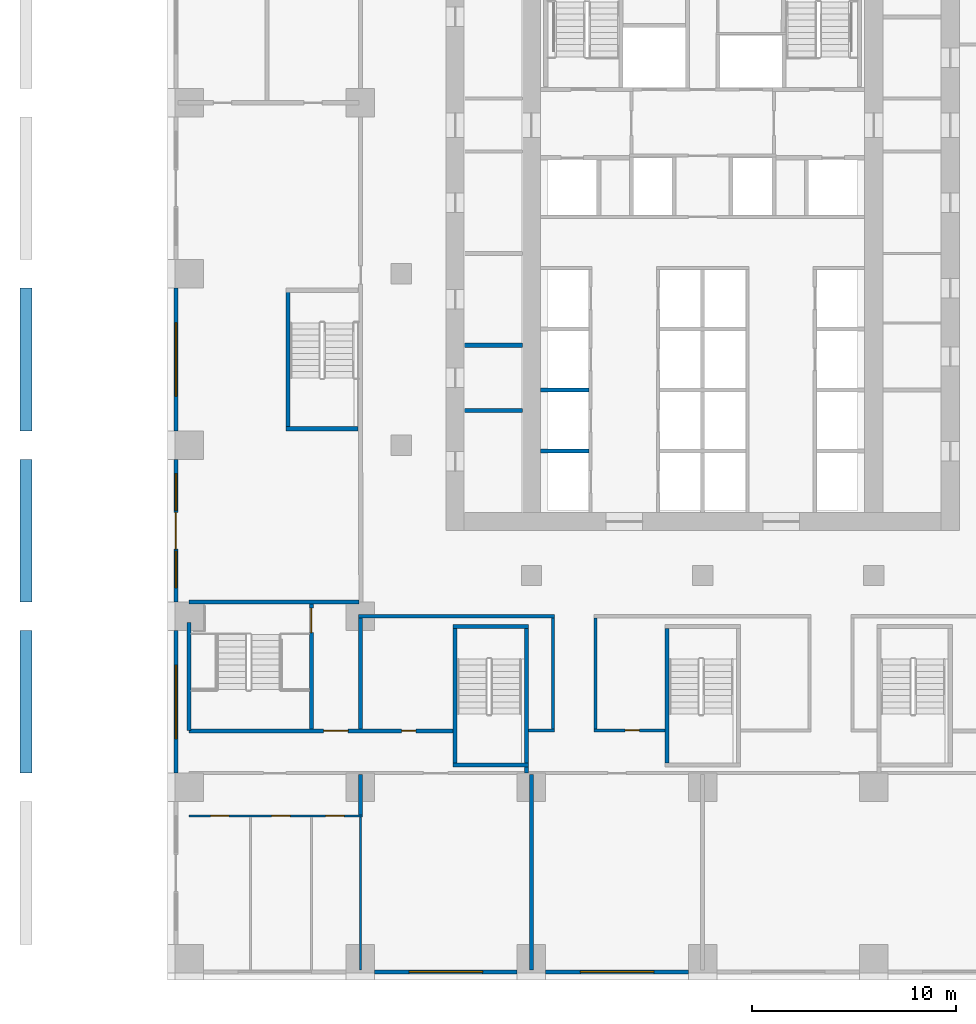
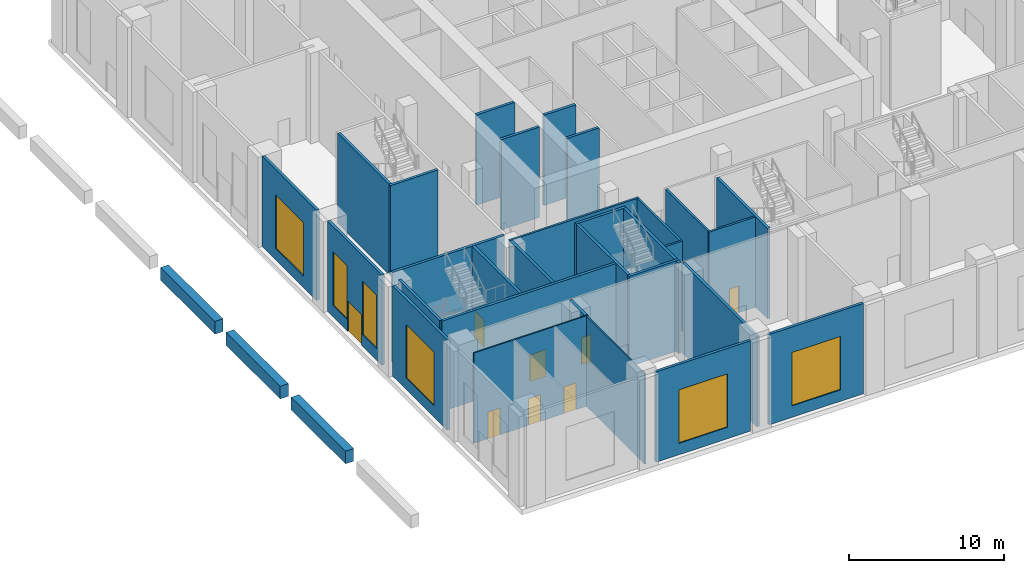
# One storey, part 7 of 29: 33 walls, 8 doors, 6 windows, 14 openings.
"""IFC4 building model written with IfcOpenShell, lengths in metres."""

from ifc_helpers import new_model, si_unit, direction, frame, frame_2d, origin, place, context, subcontext, project, spatial, rectangle, extrude, material, layer, layer_set, type_object, element, fill, save


model = new_model("IFC4")

# Units and contexts
model_context = context("Model", 3, precision=1e-05, world=origin(), true_north=direction((0.0, 1.0)))
body_context = subcontext(model_context, "Body", "Model", "MODEL_VIEW")
ifc_project = project(units=[si_unit("LENGTHUNIT", "METRE"), si_unit("AREAUNIT", "SQUARE_METRE"), si_unit("VOLUMEUNIT", "CUBIC_METRE"), si_unit("PLANEANGLEUNIT", "RADIAN"), si_unit("MASSUNIT", "GRAM", prefix="KILO")], contexts=[model_context])

# Site, building, storey
site_placement = place(None, origin())
site = spatial("IfcSite", under=ifc_project, at=site_placement, CompositionType="ELEMENT")
building_placement = place(site_placement, origin())
building = spatial("IfcBuilding", under=site, at=building_placement, Name="Vermilion Ogive Tower", CompositionType="ELEMENT")
storey_placement = place(building_placement, frame((0.0, 0.0, 12.5)))
storey = spatial("IfcBuildingStorey", under=building, at=storey_placement, Name="L02", CompositionType="ELEMENT", Elevation=12.5)

# Wall, openings, doors
ifc_material_1 = material(Name="Gypsum board partition on steel studs", Category="steel")
ifc_layer_1 = layer(ifc_material_1, 0.10009765625)
ifc_layer_set_1 = layer_set([ifc_layer_1], Name="Partition 100 bath")
wall_type_1 = type_object("IfcWallType", Name="Partition 100 bath", PredefinedType="PARTITIONING", material=ifc_layer_set_1)
wall_1_placement = place(storey_placement, frame((-25.199951171875, -22.39990234375, 0.0), z_axis=(0.0, 0.0, 1.0), x_axis=(1.0, 0.0, 0.0)))
wall_1 = element("IfcWall", 1, at=wall_1_placement, inside=storey, type_object=wall_type_1, Name="L02-FS-W-W002", PredefinedType="PARTITIONING", context=body_context, shape_type="SweptSolid", body=[
    extrude(rectangle(XDim=8.5, YDim=0.10009765625, at=frame_2d((4.25, 0.0))), origin(), (0.0, 0.0, 1.0), 7.10009765625),
])
opening_1_placement = place(wall_1_placement, frame((1.050048828125, 0.0, 0.0)))
opening_1 = element("IfcOpeningElement", 2, at=opening_1_placement, cuts=wall_1, Name="Opening L02S023", PredefinedType="OPENING", context=body_context, shape_type="SweptSolid", body=[
    extrude(rectangle(XDim=0.89990234375, YDim=2.10009765625, at=frame_2d((0.449951171875, 1.050048828125))), frame((0.0, 0.06005859375, 0.0), z_axis=(0.0, -1.0, 0.0), x_axis=(1.0, 0.0, 0.0)), (0.0, 0.0, 1.0), 0.1201171875),
])
opening_2_placement = place(wall_1_placement, frame((4.050048828125, 0.0, 0.0)))
opening_2 = element("IfcOpeningElement", 3, at=opening_2_placement, cuts=wall_1, Name="Opening L02S024", PredefinedType="OPENING", context=body_context, shape_type="SweptSolid", body=[
    extrude(rectangle(XDim=0.89990234375, YDim=2.10009765625, at=frame_2d((0.449951171875, 1.050048828125))), frame((0.0, 0.06005859375, 0.0), z_axis=(0.0, -1.0, 0.0), x_axis=(1.0, 0.0, 0.0)), (0.0, 0.0, 1.0), 0.1201171875),
])
opening_3_placement = place(wall_1_placement, frame((6.699951171875, 0.0, 0.0)))
opening_3 = element("IfcOpeningElement", 4, at=opening_3_placement, cuts=wall_1, Name="Opening L02S025", PredefinedType="OPENING", context=body_context, shape_type="SweptSolid", body=[
    extrude(rectangle(XDim=0.89990234375, YDim=2.10009765625, at=frame_2d((0.449951171875, 1.050048828125))), frame((0.0, 0.06005859375, 0.0), z_axis=(0.0, -1.0, 0.0), x_axis=(1.0, 0.0, 0.0)), (0.0, 0.0, 1.0), 0.1201171875),
])
ifc_material_2 = material(Name="Timber door leaf", Category="wood")
door_type_1 = type_object("IfcDoorType", Name="Room door 900 x 2100 FD30", OperationType="SINGLE_SWING_LEFT", PredefinedType="DOOR", material=ifc_material_2)
door_1_placement = place(opening_1_placement, origin())
door_1 = element("IfcDoor", 5, at=door_1_placement, inside=storey, type_object=door_type_1, Name="L02-FS-D-D023", OperationType="SINGLE_SWING_RIGHT", OverallHeight=2.10009765625, OverallWidth=0.89990234375, PredefinedType="DOOR", context=body_context, shape_type="SweptSolid", body=[
    extrude(rectangle(XDim=0.89990234375, YDim=2.10009765625, at=frame_2d((0.449951171875, 1.050048828125))), frame((0.0, 0.02490234375, 0.0), z_axis=(0.0, -1.0, 0.0), x_axis=(1.0, 0.0, 0.0)), (0.0, 0.0, 1.0), 0.050048828125),
])
fill(opening_1, door_1)
door_2_placement = place(opening_2_placement, origin())
door_2 = element("IfcDoor", 6, at=door_2_placement, inside=storey, type_object=door_type_1, Name="L02-FS-D-D024", OperationType="SINGLE_SWING_RIGHT", OverallHeight=2.10009765625, OverallWidth=0.89990234375, PredefinedType="DOOR", context=body_context, shape_type="SweptSolid", body=[
    extrude(rectangle(XDim=0.89990234375, YDim=2.10009765625, at=frame_2d((0.449951171875, 1.050048828125))), frame((0.0, 0.02490234375, 0.0), z_axis=(0.0, -1.0, 0.0), x_axis=(1.0, 0.0, 0.0)), (0.0, 0.0, 1.0), 0.050048828125),
])
fill(opening_2, door_2)
door_3_placement = place(opening_3_placement, origin())
door_3 = element("IfcDoor", 7, at=door_3_placement, inside=storey, type_object=door_type_1, Name="L02-FS-D-D025", OperationType="SINGLE_SWING_RIGHT", OverallHeight=2.10009765625, OverallWidth=0.89990234375, PredefinedType="DOOR", context=body_context, shape_type="SweptSolid", body=[
    extrude(rectangle(XDim=0.89990234375, YDim=2.10009765625, at=frame_2d((0.449951171875, 1.050048828125))), frame((0.0, 0.02490234375, 0.0), z_axis=(0.0, -1.0, 0.0), x_axis=(1.0, 0.0, 0.0)), (0.0, 0.0, 1.0), 0.050048828125),
])
fill(opening_3, door_3)

# Walls
wall_2_placement = place(storey_placement, frame((-16.800048828125, -29.949951171875, 0.0), z_axis=(0.0, 0.0, 1.0), x_axis=(0.0, 1.0, 0.0)))
element("IfcWall", 8, at=wall_2_placement, inside=storey, type_object=wall_type_1, Name="L02-FS-W-W045", PredefinedType="PARTITIONING", context=body_context, shape_type="SweptSolid", body=[
    extrude(rectangle(XDim=7.5, YDim=0.10009765625, at=frame_2d((3.75, 0.0))), origin(), (0.0, 0.0, 1.0), 7.10009765625),
])
ifc_material_3 = material(Name="Gypsum board partition on steel studs", Category="steel")
ifc_layer_2 = layer(ifc_material_3, 0.14990234375)
ifc_layer_set_2 = layer_set([ifc_layer_2], Name="Partition 150 corridor")
wall_type_2 = type_object("IfcWallType", Name="Partition 150 corridor", PredefinedType="PARTITIONING", material=ifc_layer_set_2)
wall_3_placement = place(storey_placement, frame((-8.550048828125, -18.199951171875, 0.0), z_axis=(0.0, 0.0, 1.0), x_axis=(1.0, 0.0, 0.0)))
element("IfcWall", 9, at=wall_3_placement, inside=storey, type_object=wall_type_2, Name="L02-FS-W-W010", PredefinedType="PARTITIONING", context=body_context, shape_type="SweptSolid", body=[
    extrude(rectangle(XDim=1.275146484375, YDim=0.14990234375, at=frame_2d((0.6376953125, 0.0))), origin(), (0.0, 0.0, 1.0), 7.10009765625),
])

# Wall, opening, door
wall_4_placement = place(storey_placement, frame((-5.324951171875, -18.199951171875, 0.0), z_axis=(0.0, 0.0, 1.0), x_axis=(1.0, 0.0, 0.0)))
wall_4 = element("IfcWall", 10, at=wall_4_placement, inside=storey, type_object=wall_type_2, Name="L02-FS-W-W011", PredefinedType="PARTITIONING", context=body_context, shape_type="SweptSolid", body=[
    extrude(rectangle(XDim=3.474853515625, YDim=0.14990234375, at=frame_2d((1.7373046875, 0.0))), origin(), (0.0, 0.0, 1.0), 7.10009765625),
])
opening_4_placement = place(wall_4_placement, frame((1.52490234375, 0.0, 0.0)))
opening_4 = element("IfcOpeningElement", 11, at=opening_4_placement, cuts=wall_4, Name="Opening L02S049", PredefinedType="OPENING", context=body_context, shape_type="SweptSolid", body=[
    extrude(rectangle(XDim=0.699951171875, YDim=2.10009765625, at=frame_2d((0.35009765625, 1.050048828125))), frame((0.0, 0.0849609375, 0.0), z_axis=(0.0, -1.0, 0.0), x_axis=(1.0, 0.0, 0.0)), (0.0, 0.0, 1.0), 0.169921875),
])
ifc_material_4 = material(Name="Timber door leaf", Category="wood")
door_type_2 = type_object("IfcDoorType", Name="Room door 700 x 2100 FD30", OperationType="SINGLE_SWING_LEFT", PredefinedType="DOOR", material=ifc_material_4)
door_4_placement = place(opening_4_placement, origin())
door_4 = element("IfcDoor", 12, at=door_4_placement, inside=storey, type_object=door_type_2, Name="L02-FS-D-D049", OperationType="SINGLE_SWING_LEFT", OverallHeight=2.10009765625, OverallWidth=0.699951171875, PredefinedType="DOOR", context=body_context, shape_type="SweptSolid", body=[
    extrude(rectangle(XDim=0.699951171875, YDim=2.10009765625, at=frame_2d((0.35009765625, 1.050048828125))), frame((0.0, 0.02490234375, 0.0), z_axis=(0.0, -1.0, 0.0), x_axis=(1.0, 0.0, 0.0)), (0.0, 0.0, 1.0), 0.050048828125),
])
fill(opening_4, door_4)

# Walls
wall_5_placement = place(storey_placement, frame((-16.89990234375, -12.60009765625, 0.0), z_axis=(0.0, 0.0, 1.0), x_axis=(1.0, 0.0, 0.0)))
element("IfcWall", 13, at=wall_5_placement, inside=storey, type_object=wall_type_2, Name="L02-FS-W-W016", PredefinedType="PARTITIONING", context=body_context, shape_type="SweptSolid", body=[
    extrude(rectangle(XDim=9.625, YDim=0.14990234375, at=frame_2d((4.8125, 0.0))), origin(), (0.0, 0.0, 1.0), 7.10009765625),
])
for number, where, z_axis, x_axis, name in (
    (14, (-7.35009765625, -18.125, 0.0), (0.0, 0.0, 1.0), (0.0, 1.0, 0.0), "L02-FS-W-W052"),
    (15, (-5.25, -18.125, 0.0), (0.0, 0.0, 1.0), (0.0, 1.0, 0.0), "L02-FS-W-W053"),
):
    element("IfcWall", number, at=place(storey_placement, frame(where, z_axis=z_axis, x_axis=x_axis)), inside=storey, type_object=wall_type_2, Name=name, PredefinedType="PARTITIONING", context=body_context, shape_type="SweptSolid", body=[
        extrude(rectangle(XDim=5.449951171875, YDim=0.14990234375, at=frame_2d((2.72509765625, 0.0))), origin(), (0.0, 0.0, 1.0), 7.10009765625),
    ])
ifc_material_5 = material(Name="Gypsum board partition on steel studs", Category="steel")
ifc_layer_3 = layer(ifc_material_5, 0.199951171875)
ifc_layer_set_3 = layer_set([ifc_layer_3], Name="Partition 200 party")
wall_type_3 = type_object("IfcWallType", Name="Partition 200 party", PredefinedType="PARTITIONING", material=ifc_layer_set_3)
wall_6_placement = place(storey_placement, frame((-16.800048828125, -22.35009765625, 0.0), z_axis=(0.0, 0.0, 1.0), x_axis=(0.0, 1.0, 0.0)))
element("IfcWall", 16, at=wall_6_placement, inside=storey, type_object=wall_type_3, Name="L02-FS-W-W046", PredefinedType="PARTITIONING", context=body_context, shape_type="SweptSolid", body=[
    extrude(rectangle(XDim=1.97509765625, YDim=0.199951171875, at=frame_2d((0.987548828125, 0.0))), origin(), (0.0, 0.0, 1.0), 7.10009765625),
])
wall_7_placement = place(storey_placement, frame((-16.800048828125, -18.125, 0.0), z_axis=(0.0, 0.0, 1.0), x_axis=(0.0, 1.0, 0.0)))
element("IfcWall", 17, at=wall_7_placement, inside=storey, type_object=wall_type_3, Name="L02-FS-W-W047", PredefinedType="PARTITIONING", context=body_context, shape_type="SweptSolid", body=[
    extrude(rectangle(XDim=5.449951171875, YDim=0.199951171875, at=frame_2d((2.72509765625, 0.0))), origin(), (0.0, 0.0, 1.0), 7.10009765625),
])
wall_8_placement = place(storey_placement, frame((-8.39990234375, -29.949951171875, 0.0), z_axis=(0.0, 0.0, 1.0), x_axis=(0.0, 1.0, 0.0)))
element("IfcWall", 18, at=wall_8_placement, inside=storey, type_object=wall_type_3, Name="L02-FS-W-W051", PredefinedType="PARTITIONING", context=body_context, shape_type="SweptSolid", body=[
    extrude(rectangle(XDim=9.574951171875, YDim=0.199951171875, at=frame_2d((4.78759765625, 0.0))), origin(), (0.0, 0.0, 1.0), 7.10009765625),
])
for number, where, z_axis, x_axis, name in (
    (19, (-7.948974609375, -4.5, 0.0), (0.0, 0.0, 1.0), (1.0, 0.0, 0.0), "L02-CK-W-W001"),
    (20, (-7.948974609375, -1.5, 0.0), (0.0, 0.0, 1.0), (1.0, 0.0, 0.0), "L02-CK-W-W004"),
):
    element("IfcWall", number, at=place(storey_placement, frame(where, z_axis=z_axis, x_axis=x_axis)), inside=storey, type_object=wall_type_3, Name=name, PredefinedType="PARTITIONING", context=body_context, shape_type="SweptSolid", body=[
        extrude(rectangle(XDim=2.3740234375, YDim=0.199951171875, at=frame_2d((1.18701171875, 0.0))), origin(), (0.0, 0.0, 1.0), 7.10009765625),
    ])
for number, where, z_axis, x_axis, name in (
    (21, (-11.698974609375, -2.5, 0.0), (0.0, 0.0, 1.0), (1.0, 0.0, 0.0), "L02-CKW-W-W001"),
    (22, (-11.698974609375, 0.699951171875, 0.0), (0.0, 0.0, 1.0), (1.0, 0.0, 0.0), "L02-CKW-W-W002"),
):
    element("IfcWall", number, at=place(storey_placement, frame(where, z_axis=z_axis, x_axis=x_axis)), inside=storey, type_object=wall_type_3, Name=name, PredefinedType="PARTITIONING", context=body_context, shape_type="SweptSolid", body=[
        extrude(rectangle(XDim=2.847900390625, YDim=0.199951171875, at=frame_2d((1.423828125, 0.0))), origin(), (0.0, 0.0, 1.0), 7.10009765625),
    ])

# Wall, openings, doors
ifc_material_6 = material(Name="Concrete B60", Category="concrete")
ifc_layer_4 = layer(ifc_material_6, 0.199951171875)
ifc_layer_set_4 = layer_set([ifc_layer_4], Name="Stair shaft wall 200 Concrete B60")
wall_type_4 = type_object("IfcWallType", Name="Stair shaft wall 200 Concrete B60", PredefinedType="SOLIDWALL", material=ifc_layer_set_4)
wall_9_placement = place(storey_placement, frame((-25.199951171875, -18.224853515625, 0.0), z_axis=(0.0, 0.0, 1.0), x_axis=(1.0, 0.0, 0.0)))
wall_9 = element("IfcWall", 23, at=wall_9_placement, inside=storey, type_object=wall_type_4, Name="L02-FS-W-W009", PredefinedType="SOLIDWALL", context=body_context, shape_type="SweptSolid", body=[
    extrude(rectangle(XDim=12.949951171875, YDim=0.199951171875, at=frame_2d((6.47509765625, 0.0))), origin(), (0.0, 0.0, 1.0), 7.10009765625),
])
opening_5_placement = place(wall_9_placement, frame((6.599853515625, 0.0, 0.0)))
opening_5 = element("IfcOpeningElement", 24, at=opening_5_placement, cuts=wall_9, Name="Opening L02S013", PredefinedType="OPENING", context=body_context, shape_type="SweptSolid", body=[
    extrude(rectangle(XDim=1.199951171875, YDim=2.10009765625, at=frame_2d((0.60009765625, 1.050048828125))), frame((0.0, 0.10986328125, 0.0), z_axis=(0.0, -1.0, 0.0), x_axis=(1.0, 0.0, 0.0)), (0.0, 0.0, 1.0), 0.219970703125),
])
opening_6_placement = place(wall_9_placement, frame((10.4248046875, 0.0, 0.0)))
opening_6 = element("IfcOpeningElement", 25, at=opening_6_placement, cuts=wall_9, Name="Opening L02S048", PredefinedType="OPENING", context=body_context, shape_type="SweptSolid", body=[
    extrude(rectangle(XDim=0.699951171875, YDim=2.10009765625, at=frame_2d((0.35009765625, 1.050048828125))), frame((0.0, 0.10986328125, 0.0), z_axis=(0.0, -1.0, 0.0), x_axis=(1.0, 0.0, 0.0)), (0.0, 0.0, 1.0), 0.219970703125),
])
door_5_placement = place(opening_6_placement, origin())
door_5 = element("IfcDoor", 26, at=door_5_placement, inside=storey, type_object=door_type_2, Name="L02-FS-D-D048", OperationType="SINGLE_SWING_RIGHT", OverallHeight=2.10009765625, OverallWidth=0.699951171875, PredefinedType="DOOR", context=body_context, shape_type="SweptSolid", body=[
    extrude(rectangle(XDim=0.699951171875, YDim=2.10009765625, at=frame_2d((0.35009765625, 1.050048828125))), frame((0.0, 0.02490234375, 0.0), z_axis=(0.0, -1.0, 0.0), x_axis=(1.0, 0.0, 0.0)), (0.0, 0.0, 1.0), 0.050048828125),
])
fill(opening_6, door_5)
ifc_material_7 = material(Name="Timber door leaf", Category="wood")
door_type_3 = type_object("IfcDoorType", Name="Stair door 1200 x 2100 FD60S", OperationType="SINGLE_SWING_LEFT", PredefinedType="DOOR", material=ifc_material_7)
door_6_placement = place(opening_5_placement, origin())
door_6 = element("IfcDoor", 27, at=door_6_placement, inside=storey, type_object=door_type_3, Name="L02-FS-D-D013", OperationType="SINGLE_SWING_RIGHT", OverallHeight=2.10009765625, OverallWidth=1.199951171875, PredefinedType="DOOR", context=body_context, shape_type="SweptSolid", body=[
    extrude(rectangle(XDim=1.199951171875, YDim=2.10009765625, at=frame_2d((0.60009765625, 1.050048828125))), frame((0.0, 0.02490234375, 0.0), z_axis=(0.0, -1.0, 0.0), x_axis=(1.0, 0.0, 0.0)), (0.0, 0.0, 1.0), 0.050048828125),
])
fill(opening_5, door_6)

# Wall
wall_10_placement = place(storey_placement, frame((-25.199951171875, -11.89990234375, 0.0), z_axis=(0.0, 0.0, 1.0), x_axis=(1.0, 0.0, 0.0)))
element("IfcWall", 28, at=wall_10_placement, inside=storey, type_object=wall_type_4, Name="L02-FS-W-W019", PredefinedType="SOLIDWALL", context=body_context, shape_type="SweptSolid", body=[
    extrude(rectangle(XDim=8.324951171875, YDim=0.199951171875, at=frame_2d((4.16259765625, 0.0))), origin(), (0.0, 0.0, 1.0), 7.10009765625),
])

# Wall, opening, door
wall_11_placement = place(storey_placement, frame((-19.199951171875, -18.125, 0.0), z_axis=(0.0, 0.0, 1.0), x_axis=(0.0, 1.0, 0.0)))
wall_11 = element("IfcWall", 29, at=wall_11_placement, inside=storey, type_object=wall_type_4, Name="L02-FS-W-W044", PredefinedType="SOLIDWALL", context=body_context, shape_type="SweptSolid", body=[
    extrude(rectangle(XDim=6.125, YDim=0.199951171875, at=frame_2d((3.0625, 0.0))), origin(), (0.0, 0.0, 1.0), 7.10009765625),
])
opening_7_placement = place(wall_11_placement, frame((4.72509765625, 0.0, 0.0)))
opening_7 = element("IfcOpeningElement", 30, at=opening_7_placement, cuts=wall_11, Name="Opening L02S004", PredefinedType="OPENING", context=body_context, shape_type="SweptSolid", body=[
    extrude(rectangle(XDim=1.199951171875, YDim=2.10009765625, at=frame_2d((0.60009765625, 1.050048828125))), frame((0.0, 0.10986328125, 0.0), z_axis=(0.0, -1.0, 0.0), x_axis=(1.0, 0.0, 0.0)), (0.0, 0.0, 1.0), 0.219970703125),
])
door_7_placement = place(opening_7_placement, origin())
door_7 = element("IfcDoor", 31, at=door_7_placement, inside=storey, type_object=door_type_3, Name="L02-FS-D-D004", OperationType="DOUBLE_DOOR_SINGLE_SWING", OverallHeight=2.10009765625, OverallWidth=1.199951171875, PredefinedType="DOOR", context=body_context, shape_type="SweptSolid", body=[
    extrude(rectangle(XDim=1.199951171875, YDim=2.10009765625, at=frame_2d((0.60009765625, 1.050048828125))), frame((0.0, 0.02490234375, 0.0), z_axis=(0.0, -1.0, 0.0), x_axis=(1.0, 0.0, 0.0)), (0.0, 0.0, 1.0), 0.050048828125),
])
fill(opening_7, door_7)

# Walls
for number, where, z_axis, x_axis, name in (
    (32, (-12.25, -19.89990234375, 0.0), (0.0, 0.0, 1.0), (1.0, 0.0, 0.0), "L02-SW-ST3-S1"),
    (33, (-12.25, -13.10009765625, 0.0), (0.0, 0.0, 1.0), (1.0, 0.0, 0.0), "L02-SW-ST3-N1"),
):
    element("IfcWall", number, at=place(storey_placement, frame(where, z_axis=z_axis, x_axis=x_axis)), inside=storey, type_object=wall_type_4, Name=name, PredefinedType="SOLIDWALL", context=body_context, shape_type="SweptSolid", body=[
        extrude(rectangle(XDim=3.699951171875, YDim=0.199951171875, at=frame_2d((1.85009765625, 0.0))), origin(), (0.0, 0.0, 1.0), 7.10009765625),
    ])
wall_12_placement = place(storey_placement, frame((-12.14990234375, -19.800048828125, 0.0), z_axis=(0.0, 0.0, 1.0), x_axis=(0.0, 1.0, 0.0)))
element("IfcWall", 34, at=wall_12_placement, inside=storey, type_object=wall_type_4, Name="L02-SW-ST3-W1", PredefinedType="SOLIDWALL", context=body_context, shape_type="SweptSolid", body=[
    extrude(rectangle(XDim=6.60009765625, YDim=0.199951171875, at=frame_2d((3.300048828125, 0.0))), origin(), (0.0, 0.0, 1.0), 7.10009765625),
])
wall_13_placement = place(storey_placement, frame((-8.64990234375, -20.300048828125, 0.0), z_axis=(0.0, 0.0, 1.0), x_axis=(0.0, 1.0, 0.0)))
element("IfcWall", 35, at=wall_13_placement, inside=storey, type_object=wall_type_4, Name="L02-SW-ST3-E1", PredefinedType="SOLIDWALL", context=body_context, shape_type="SweptSolid", body=[
    extrude(rectangle(XDim=7.10009765625, YDim=0.199951171875, at=frame_2d((3.550048828125, 0.0))), origin(), (0.0, 0.0, 1.0), 7.10009765625),
])
wall_14_placement = place(storey_placement, frame((-1.75, -19.800048828125, 0.0), z_axis=(0.0, 0.0, 1.0), x_axis=(0.0, 1.0, 0.0)))
element("IfcWall", 36, at=wall_14_placement, inside=storey, type_object=wall_type_4, Name="L02-SW-ST4-W1", PredefinedType="SOLIDWALL", context=body_context, shape_type="SweptSolid", body=[
    extrude(rectangle(XDim=6.60009765625, YDim=0.199951171875, at=frame_2d((3.300048828125, 0.0))), origin(), (0.0, 0.0, 1.0), 7.10009765625),
])
wall_15_placement = place(storey_placement, frame((-20.449951171875, -3.39990234375, 0.0), z_axis=(0.0, 0.0, 1.0), x_axis=(1.0, 0.0, 0.0)))
element("IfcWall", 37, at=wall_15_placement, inside=storey, type_object=wall_type_4, Name="L02-SW-ST9-S1", PredefinedType="SOLIDWALL", context=body_context, shape_type="SweptSolid", body=[
    extrude(rectangle(XDim=3.52490234375, YDim=0.199951171875, at=frame_2d((1.762451171875, 0.0))), origin(), (0.0, 0.0, 1.0), 7.10009765625),
])
wall_16_placement = place(storey_placement, frame((-20.35009765625, -3.300048828125, 0.0), z_axis=(0.0, 0.0, 1.0), x_axis=(0.0, 1.0, 0.0)))
element("IfcWall", 38, at=wall_16_placement, inside=storey, type_object=wall_type_4, Name="L02-SW-ST9-W1", PredefinedType="SOLIDWALL", context=body_context, shape_type="SweptSolid", body=[
    extrude(rectangle(XDim=6.60009765625, YDim=0.199951171875, at=frame_2d((3.300048828125, 0.0))), origin(), (0.0, 0.0, 1.0), 7.10009765625),
])
wall_17_placement = place(storey_placement, frame((-25.199951171875, -18.199951171875, 0.0), z_axis=(0.0, 0.0, 1.0), x_axis=(0.0, 1.0, 0.0)))
element("IfcWall", 39, at=wall_17_placement, inside=storey, type_object=wall_type_4, Name="L02-SW-R007-W1", PredefinedType="SOLIDWALL", context=body_context, shape_type="SweptSolid", body=[
    extrude(rectangle(XDim=5.300048828125, YDim=0.199951171875, at=frame_2d((2.64990234375, 0.0))), origin(), (0.0, 0.0, 1.0), 7.10009765625),
])
ifc_material_8 = material(Name="Concrete B40", Category="concrete")
ifc_layer_5 = layer(ifc_material_8, 0.60009765625)
ifc_layer_set_5 = layer_set([ifc_layer_5], Name="Terrace planter")
wall_type_5 = type_object("IfcWallType", Name="Terrace planter", PredefinedType="USERDEFINED", material=ifc_layer_set_5)
for number, where, z_axis, x_axis, name in (
    (40, (-33.199951171875, -20.300048828125, 0.0), (0.0, 0.0, 1.0), (0.0, 1.0, 0.0), "Terrace planter 1.1.2"),
    (41, (-33.199951171875, -11.89990234375, 0.0), (0.0, 0.0, 1.0), (0.0, 1.0, 0.0), "Terrace planter 1.1.3"),
    (42, (-33.199951171875, -3.5, 0.0), (0.0, 0.0, 1.0), (0.0, 1.0, 0.0), "Terrace planter 1.1.4"),
):
    element("IfcWall", number, at=place(storey_placement, frame(where, z_axis=z_axis, x_axis=x_axis)), inside=storey, type_object=wall_type_5, Name=name, ObjectType="PLANTER", PredefinedType="USERDEFINED", context=body_context, shape_type="SweptSolid", body=[
        extrude(rectangle(XDim=7.0, YDim=0.60009765625, at=frame_2d((3.5, 0.0))), origin(), (0.0, 0.0, 1.0), 1.0),
    ])

# Wall, opening, window
ifc_material_9 = material(Name="Aluminium window wall framing", Category="aluminium")
ifc_layer_6 = layer(ifc_material_9, 0.199951171875)
ifc_layer_set_6 = layer_set([ifc_layer_6], Name="Window wall")
wall_type_6 = type_object("IfcWallType", Name="Window wall", PredefinedType="STANDARD", material=ifc_layer_set_6)
wall_18_placement = place(storey_placement, frame((-16.10009765625, -30.050048828125, 0.0), z_axis=(0.0, 0.0, 1.0), x_axis=(1.0, 0.0, 0.0)))
wall_18 = element("IfcWall", 43, at=wall_18_placement, inside=storey, type_object=wall_type_6, Name="Window wall S2", PredefinedType="STANDARD", context=body_context, shape_type="SweptSolid", body=[
    extrude(rectangle(XDim=7.0, YDim=0.199951171875, at=frame_2d((3.5, 0.0))), origin(), (0.0, 0.0, 1.0), 7.10009765625),
])
opening_8_placement = place(wall_18_placement, frame((1.699951171875, 0.0, 0.89990234375)))
opening_8 = element("IfcOpeningElement", 44, at=opening_8_placement, cuts=wall_18, Name="Opening P-S2", PredefinedType="OPENING", context=body_context, shape_type="SweptSolid", body=[
    extrude(rectangle(XDim=3.60009765625, YDim=4.199951171875, at=frame_2d((1.800048828125, 2.10009765625))), frame((0.0, 0.10986328125, 0.0), z_axis=(0.0, -1.0, 0.0), x_axis=(1.0, 0.0, 0.0)), (0.0, 0.0, 1.0), 0.219970703125),
])
ifc_material_10 = material(Name="Aluminium framed double glazing", Category="aluminium")
window_type_1 = type_object("IfcWindowType", Name="Podium window P 3600x4200 sill 900", PartitioningType="SINGLE_PANEL", PredefinedType="WINDOW", material=ifc_material_10)
window_1_placement = place(opening_8_placement, origin())
window_1 = element("IfcWindow", 45, at=window_1_placement, inside=storey, type_object=window_type_1, Name="Window S2", OverallHeight=4.199951171875, OverallWidth=3.60009765625, PartitioningType="SINGLE_PANEL", PredefinedType="WINDOW", context=body_context, shape_type="SweptSolid", body=[
    extrude(rectangle(XDim=3.60009765625, YDim=4.199951171875, at=frame_2d((1.800048828125, 2.10009765625))), frame((0.0, 0.030029296875, 0.0), z_axis=(0.0, -1.0, 0.0), x_axis=(1.0, 0.0, 0.0)), (0.0, 0.0, 1.0), 0.06005859375),
])
fill(opening_8, window_1)

wall_19_placement = place(storey_placement, frame((-7.699951171875, -30.050048828125, 0.0), z_axis=(0.0, 0.0, 1.0), x_axis=(1.0, 0.0, 0.0)))
wall_19 = element("IfcWall", 46, at=wall_19_placement, inside=storey, type_object=wall_type_6, Name="Window wall S3", PredefinedType="STANDARD", context=body_context, shape_type="SweptSolid", body=[
    extrude(rectangle(XDim=7.0, YDim=0.199951171875, at=frame_2d((3.5, 0.0))), origin(), (0.0, 0.0, 1.0), 7.10009765625),
])
opening_9_placement = place(wall_19_placement, frame((1.699951171875, 0.0, 0.89990234375)))
opening_9 = element("IfcOpeningElement", 47, at=opening_9_placement, cuts=wall_19, Name="Opening P-S3", PredefinedType="OPENING", context=body_context, shape_type="SweptSolid", body=[
    extrude(rectangle(XDim=3.60009765625, YDim=4.199951171875, at=frame_2d((1.800048828125, 2.10009765625))), frame((0.0, 0.10986328125, 0.0), z_axis=(0.0, -1.0, 0.0), x_axis=(1.0, 0.0, 0.0)), (0.0, 0.0, 1.0), 0.219970703125),
])
window_2_placement = place(opening_9_placement, origin())
window_2 = element("IfcWindow", 48, at=window_2_placement, inside=storey, type_object=window_type_1, Name="Window S3", OverallHeight=4.199951171875, OverallWidth=3.60009765625, PartitioningType="SINGLE_PANEL", PredefinedType="WINDOW", context=body_context, shape_type="SweptSolid", body=[
    extrude(rectangle(XDim=3.60009765625, YDim=4.199951171875, at=frame_2d((1.800048828125, 2.10009765625))), frame((0.0, 0.030029296875, 0.0), z_axis=(0.0, -1.0, 0.0), x_axis=(1.0, 0.0, 0.0)), (0.0, 0.0, 1.0), 0.06005859375),
])
fill(opening_9, window_2)

wall_20_placement = place(storey_placement, frame((-25.85009765625, 3.5, 0.0), z_axis=(0.0, 0.0, 1.0), x_axis=(0.0, -1.0, 0.0)))
wall_20 = element("IfcWall", 49, at=wall_20_placement, inside=storey, type_object=wall_type_6, Name="Window wall W4", PredefinedType="STANDARD", context=body_context, shape_type="SweptSolid", body=[
    extrude(rectangle(XDim=7.0, YDim=0.199951171875, at=frame_2d((3.5, 0.0))), origin(), (0.0, 0.0, 1.0), 7.10009765625),
])
opening_10_placement = place(wall_20_placement, frame((1.699951171875, 0.0, 0.89990234375)))
opening_10 = element("IfcOpeningElement", 50, at=opening_10_placement, cuts=wall_20, Name="Opening P-W4", PredefinedType="OPENING", context=body_context, shape_type="SweptSolid", body=[
    extrude(rectangle(XDim=3.60009765625, YDim=4.199951171875, at=frame_2d((1.800048828125, 2.10009765625))), frame((0.0, 0.10986328125, 0.0), z_axis=(0.0, -1.0, 0.0), x_axis=(1.0, 0.0, 0.0)), (0.0, 0.0, 1.0), 0.219970703125),
])
window_3_placement = place(opening_10_placement, origin())
window_3 = element("IfcWindow", 51, at=window_3_placement, inside=storey, type_object=window_type_1, Name="Window W4", OverallHeight=4.199951171875, OverallWidth=3.60009765625, PartitioningType="SINGLE_PANEL", PredefinedType="WINDOW", context=body_context, shape_type="SweptSolid", body=[
    extrude(rectangle(XDim=3.60009765625, YDim=4.199951171875, at=frame_2d((1.800048828125, 2.10009765625))), frame((0.0, 0.030029296875, 0.0), z_axis=(0.0, -1.0, 0.0), x_axis=(1.0, 0.0, 0.0)), (0.0, 0.0, 1.0), 0.06005859375),
])
fill(opening_10, window_3)

# Wall, openings, windows, door
wall_21_placement = place(storey_placement, frame((-25.85009765625, -4.89990234375, 0.0), z_axis=(0.0, 0.0, 1.0), x_axis=(0.0, -1.0, 0.0)))
wall_21 = element("IfcWall", 52, at=wall_21_placement, inside=storey, type_object=wall_type_6, Name="Window wall W5", PredefinedType="STANDARD", context=body_context, shape_type="SweptSolid", body=[
    extrude(rectangle(XDim=7.0, YDim=0.199951171875, at=frame_2d((3.5, 0.0))), origin(), (0.0, 0.0, 1.0), 7.10009765625),
])
opening_11_placement = place(wall_21_placement, frame((0.699951171875, 0.0, 0.89990234375)))
opening_11 = element("IfcOpeningElement", 53, at=opening_11_placement, cuts=wall_21, Name="Opening P-W5A", PredefinedType="OPENING", context=body_context, shape_type="SweptSolid", body=[
    extrude(rectangle(XDim=1.800048828125, YDim=4.199951171875, at=frame_2d((0.89990234375, 2.10009765625))), frame((0.0, 0.10986328125, 0.0), z_axis=(0.0, -1.0, 0.0), x_axis=(1.0, 0.0, 0.0)), (0.0, 0.0, 1.0), 0.219970703125),
])
opening_12_placement = place(wall_21_placement, frame((2.60009765625, 0.0, 0.0)))
opening_12 = element("IfcOpeningElement", 54, at=opening_12_placement, cuts=wall_21, Name="Opening D2-W5", PredefinedType="OPENING", context=body_context, shape_type="SweptSolid", body=[
    extrude(rectangle(XDim=1.800048828125, YDim=2.39990234375, at=frame_2d((0.89990234375, 1.199951171875))), frame((0.0, 0.10986328125, 0.0), z_axis=(0.0, -1.0, 0.0), x_axis=(1.0, 0.0, 0.0)), (0.0, 0.0, 1.0), 0.219970703125),
])
opening_13_placement = place(wall_21_placement, frame((4.5, 0.0, 0.89990234375)))
opening_13 = element("IfcOpeningElement", 55, at=opening_13_placement, cuts=wall_21, Name="Opening P-W5B", PredefinedType="OPENING", context=body_context, shape_type="SweptSolid", body=[
    extrude(rectangle(XDim=1.800048828125, YDim=4.199951171875, at=frame_2d((0.89990234375, 2.10009765625))), frame((0.0, 0.10986328125, 0.0), z_axis=(0.0, -1.0, 0.0), x_axis=(1.0, 0.0, 0.0)), (0.0, 0.0, 1.0), 0.219970703125),
])
ifc_material_11 = material(Name="Aluminium framed double glazing", Category="aluminium")
window_type_2 = type_object("IfcWindowType", Name="Podium window P 1800x4200 sill 900", PartitioningType="SINGLE_PANEL", PredefinedType="WINDOW", material=ifc_material_11)
window_4_placement = place(opening_11_placement, origin())
window_4 = element("IfcWindow", 56, at=window_4_placement, inside=storey, type_object=window_type_2, Name="Window W5A", OverallHeight=4.199951171875, OverallWidth=1.800048828125, PartitioningType="SINGLE_PANEL", PredefinedType="WINDOW", context=body_context, shape_type="SweptSolid", body=[
    extrude(rectangle(XDim=1.800048828125, YDim=4.199951171875, at=frame_2d((0.89990234375, 2.10009765625))), frame((0.0, 0.030029296875, 0.0), z_axis=(0.0, -1.0, 0.0), x_axis=(1.0, 0.0, 0.0)), (0.0, 0.0, 1.0), 0.06005859375),
])
fill(opening_11, window_4)
window_5_placement = place(opening_13_placement, origin())
window_5 = element("IfcWindow", 57, at=window_5_placement, inside=storey, type_object=window_type_2, Name="Window W5B", OverallHeight=4.199951171875, OverallWidth=1.800048828125, PartitioningType="SINGLE_PANEL", PredefinedType="WINDOW", context=body_context, shape_type="SweptSolid", body=[
    extrude(rectangle(XDim=1.800048828125, YDim=4.199951171875, at=frame_2d((0.89990234375, 2.10009765625))), frame((0.0, 0.030029296875, 0.0), z_axis=(0.0, -1.0, 0.0), x_axis=(1.0, 0.0, 0.0)), (0.0, 0.0, 1.0), 0.06005859375),
])
fill(opening_13, window_5)
ifc_material_12 = material(Name="Aluminium framed glazed door", Category="aluminium")
door_type_4 = type_object("IfcDoorType", Name="Terrace door D2", OperationType="SINGLE_SWING_LEFT", PredefinedType="DOOR", material=ifc_material_12)
door_8_placement = place(opening_12_placement, origin())
door_8 = element("IfcDoor", 58, at=door_8_placement, inside=storey, type_object=door_type_4, Name="Terrace door W5", OperationType="SINGLE_SWING_LEFT", OverallHeight=2.39990234375, OverallWidth=1.800048828125, PredefinedType="DOOR", context=body_context, shape_type="SweptSolid", body=[
    extrude(rectangle(XDim=1.800048828125, YDim=2.39990234375, at=frame_2d((0.89990234375, 1.199951171875))), frame((0.0, 0.02490234375, 0.0), z_axis=(0.0, -1.0, 0.0), x_axis=(1.0, 0.0, 0.0)), (0.0, 0.0, 1.0), 0.050048828125),
])
fill(opening_12, door_8)

# Wall, opening, window
wall_22_placement = place(storey_placement, frame((-25.85009765625, -13.300048828125, 0.0), z_axis=(0.0, 0.0, 1.0), x_axis=(0.0, -1.0, 0.0)))
wall_22 = element("IfcWall", 59, at=wall_22_placement, inside=storey, type_object=wall_type_6, Name="Window wall W6", PredefinedType="STANDARD", context=body_context, shape_type="SweptSolid", body=[
    extrude(rectangle(XDim=7.0, YDim=0.199951171875, at=frame_2d((3.5, 0.0))), origin(), (0.0, 0.0, 1.0), 7.10009765625),
])
opening_14_placement = place(wall_22_placement, frame((1.699951171875, 0.0, 0.89990234375)))
opening_14 = element("IfcOpeningElement", 60, at=opening_14_placement, cuts=wall_22, Name="Opening P-W6", PredefinedType="OPENING", context=body_context, shape_type="SweptSolid", body=[
    extrude(rectangle(XDim=3.60009765625, YDim=4.199951171875, at=frame_2d((1.800048828125, 2.10009765625))), frame((0.0, 0.10986328125, 0.0), z_axis=(0.0, -1.0, 0.0), x_axis=(1.0, 0.0, 0.0)), (0.0, 0.0, 1.0), 0.219970703125),
])
window_6_placement = place(opening_14_placement, origin())
window_6 = element("IfcWindow", 61, at=window_6_placement, inside=storey, type_object=window_type_1, Name="Window W6", OverallHeight=4.199951171875, OverallWidth=3.60009765625, PartitioningType="SINGLE_PANEL", PredefinedType="WINDOW", context=body_context, shape_type="SweptSolid", body=[
    extrude(rectangle(XDim=3.60009765625, YDim=4.199951171875, at=frame_2d((1.800048828125, 2.10009765625))), frame((0.0, 0.030029296875, 0.0), z_axis=(0.0, -1.0, 0.0), x_axis=(1.0, 0.0, 0.0)), (0.0, 0.0, 1.0), 0.06005859375),
])
fill(opening_14, window_6)

save(model, "model.ifc")
